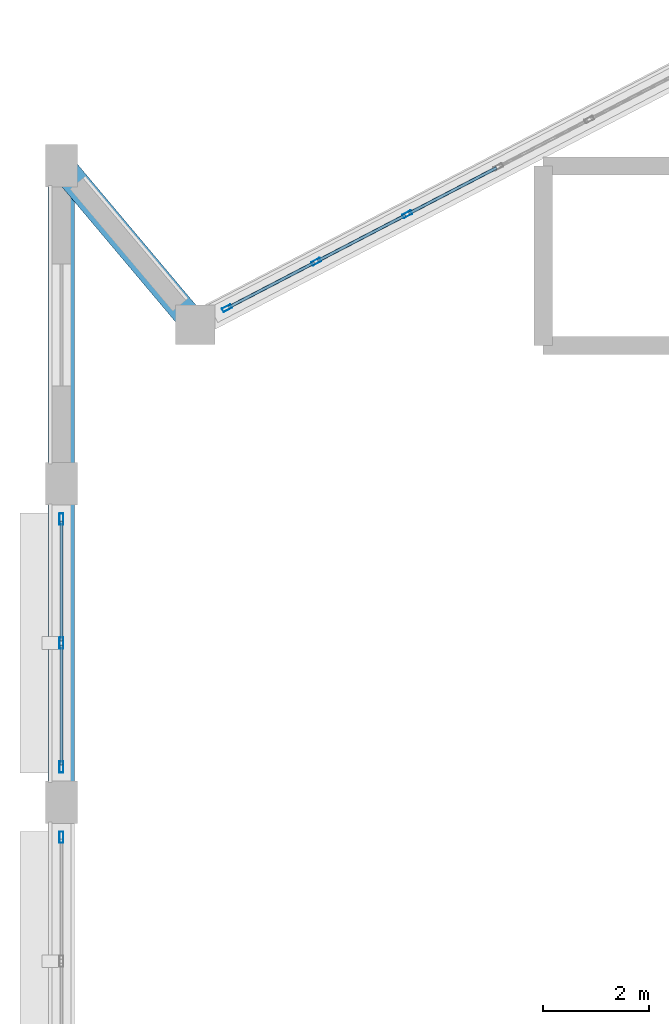
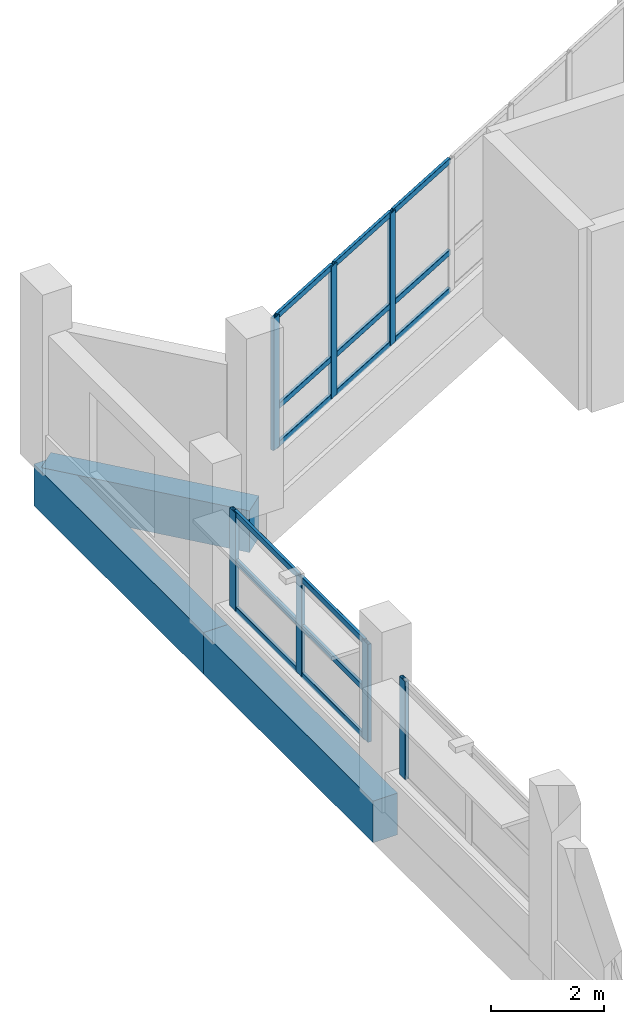
# One storey, part 14 of 121: 22 members, 3 beams, 3 elements without a shape of their own.
"""IFC4 building model written with IfcOpenShell, lengths in metres."""

from ifc_helpers import new_model, si_unit, direction, frame, origin, origin_2d, place, context, subcontext, project, spatial, rectangle, hollow_rectangle, extrude, material, layer, layer_set, material_profile, profile_set, type_object, element, aggregate, save


model = new_model("IFC4")

# Units and contexts
model_context = context("Model", 3, precision=1e-05, world=origin(), true_north=direction((0.0, 1.0)))
body_context = subcontext(model_context, "Body", "Model", "MODEL_VIEW")
ifc_project = project(units=[si_unit("LENGTHUNIT", "METRE"), si_unit("AREAUNIT", "SQUARE_METRE"), si_unit("VOLUMEUNIT", "CUBIC_METRE"), si_unit("PLANEANGLEUNIT", "RADIAN"), si_unit("MASSUNIT", "GRAM", prefix="KILO")], contexts=[model_context])

# Site, building, storey
site_placement = place(None, origin())
site = spatial("IfcSite", under=ifc_project, at=site_placement, CompositionType="ELEMENT")
building_placement = place(site_placement, origin())
building = spatial("IfcBuilding", under=site, at=building_placement, Name="Vespera Passage Community Centre", CompositionType="ELEMENT")
storey_placement = place(building_placement, frame((0.0, 0.0, 8.699951171875)))
storey = spatial("IfcBuildingStorey", under=building, at=storey_placement, Name="L02", CompositionType="ELEMENT", Elevation=8.699951171875)

# Beams
ifc_material_1 = material(Name="Concrete f'c 45 MPa", Category="concrete")
ifc_material_profile_1 = material_profile(ifc_material_1, rectangle(XDim=0.5, YDim=0.89990234375, at=origin_2d()), Name="RC500X900")
ifc_profile_set_1 = profile_set([ifc_material_profile_1], Name="Concrete f'c 45 MPa")
beam_type = type_object("IfcBeamType", Name="BM-SP-500X900E", PredefinedType="SPANDREL", material=ifc_profile_set_1)
for number, where, z_axis, x_axis, name in (
    (1, (4.050048828125, 37.0, -0.449951171875), (0.0, 1.0, 0.0), (-1.0, 0.0, 0.0), "V1 L02 Spandrel W6"),
    (2, (4.050048828125, 43.0, -0.449951171875), (0.0, 1.0, 0.0), (-1.0, 0.0, 0.0), "V1 L02 Spandrel W7"),
):
    element("IfcBeam", number, at=place(storey_placement, frame(where, z_axis=z_axis, x_axis=x_axis)), inside=storey, type_object=beam_type, Name=name, PredefinedType="SPANDREL", context=body_context, shape_type="SweptSolid", body=[
        extrude(rectangle(XDim=0.5, YDim=0.89990234375, at=origin_2d()), origin(), (0.0, 0.0, 1.0), 6.0),
    ])
beam_placement = place(storey_placement, frame((6.57275390625, 46.00146484375, -0.449951171875), z_axis=(-0.643780739075, 0.765210010386, 0.0), x_axis=(-0.765210010386, -0.643780739075, 0.0)))
element("IfcBeam", 3, at=beam_placement, inside=storey, type_object=beam_type, Name="V1 L02 N Apse Spandrel 4", PredefinedType="SPANDREL", context=body_context, shape_type="SweptSolid", body=[
    extrude(rectangle(XDim=0.5, YDim=0.89990234375, at=origin_2d()), origin(), (0.0, 0.0, 1.0), 3.91845703125),
])

# Curtain wall, members
ifc_material_2 = material(Name="Anodized aluminium 6063-T6", Category="aluminium")
ifc_layer_1 = layer(ifc_material_2, 0.159912109375)
ifc_layer_set_1 = layer_set([ifc_layer_1], Name="Anodized aluminium 6063-T6")
curtain_wall_type_1 = type_object("IfcCurtainWallType", Name="CW-87E", PredefinedType="NOTDEFINED", material=ifc_layer_set_1)
curtain_wall_1_placement = place(storey_placement, origin())
curtain_wall_1 = element("IfcCurtainWall", 4, at=curtain_wall_1_placement, inside=storey, type_object=curtain_wall_type_1, Name="V1 L02 N Apse Ribbon Curtain Wall 2", PredefinedType="NOTDEFINED")
ifc_material_3 = material(Name="Anodized aluminium 6063-T6", Category="aluminium")
ifc_material_profile_2 = material_profile(ifc_material_3, hollow_rectangle(XDim=0.074951171875, YDim=0.179931640625, WallThickness=0.0048828125, InnerFilletRadius=0.00244140625, OuterFilletRadius=0.0048828125, at=origin_2d()), Name="ALU180X75X5")
ifc_profile_set_2 = profile_set([ifc_material_profile_2], Name="Anodized aluminium 6063-T6")
member_type_1 = type_object("IfcMemberType", Name="MB-CWM-180E", PredefinedType="MULLION", material=ifc_profile_set_2)
member_1_placement = place(storey_placement, frame((7.171875, 46.313232421875, 0.800048828125), z_axis=(0.0, 0.0, 1.0), x_axis=(-0.46174493668, 0.887012747062, 0.0)))
member_1 = element("IfcMember", 5, at=member_1_placement, type_object=member_type_1, Name="CW-87E mullion 1", PredefinedType="MULLION", context=body_context, shape_type="SweptSolid", body=[
    extrude(hollow_rectangle(XDim=0.074951171875, YDim=0.179931640625, WallThickness=0.0048828125, InnerFilletRadius=0.00244140625, OuterFilletRadius=0.0048828125, at=origin_2d()), origin(), (0.0, 0.0, 1.0), 2.85009765625),
])
member_2_placement = place(storey_placement, frame((8.8544921875, 47.189208984375, 0.800048828125), z_axis=(0.0, 0.0, 1.0), x_axis=(-0.46174493668, 0.887012747062, 0.0)))
member_2 = element("IfcMember", 6, at=member_2_placement, type_object=member_type_1, Name="CW-87E mullion 2", PredefinedType="MULLION", context=body_context, shape_type="SweptSolid", body=[
    extrude(hollow_rectangle(XDim=0.074951171875, YDim=0.179931640625, WallThickness=0.0048828125, InnerFilletRadius=0.00244140625, OuterFilletRadius=0.0048828125, at=origin_2d()), origin(), (0.0, 0.0, 1.0), 2.85009765625),
])
member_3_placement = place(storey_placement, frame((10.5703125, 48.08251953125, 0.800048828125), z_axis=(0.0, 0.0, 1.0), x_axis=(-0.46174493668, 0.887012747062, 0.0)))
member_3 = element("IfcMember", 7, at=member_3_placement, type_object=member_type_1, Name="CW-87E mullion 3", PredefinedType="MULLION", context=body_context, shape_type="SweptSolid", body=[
    extrude(hollow_rectangle(XDim=0.074951171875, YDim=0.179931640625, WallThickness=0.0048828125, InnerFilletRadius=0.00244140625, OuterFilletRadius=0.0048828125, at=origin_2d()), origin(), (0.0, 0.0, 1.0), 2.85009765625),
])

# Curtain wall, member
ifc_material_4 = material(Name="Anodized aluminium 6063-T6", Category="aluminium")
ifc_layer_2 = layer(ifc_material_4, 0.159912109375)
ifc_layer_set_2 = layer_set([ifc_layer_2], Name="Anodized aluminium 6063-T6")
curtain_wall_type_2 = type_object("IfcCurtainWallType", Name="CW-86E", PredefinedType="NOTDEFINED", material=ifc_layer_set_2)
curtain_wall_2_placement = place(storey_placement, origin())
curtain_wall_2 = element("IfcCurtainWall", 8, at=curtain_wall_2_placement, inside=storey, type_object=curtain_wall_type_2, Name="Main Hall Acoustic Curtain Wall L02 W5", PredefinedType="NOTDEFINED")
ifc_material_5 = material(Name="Anodized aluminium 6063-T6", Category="aluminium")
ifc_material_profile_3 = material_profile(ifc_material_5, hollow_rectangle(XDim=0.074951171875, YDim=0.2099609375, WallThickness=0.0048828125, InnerFilletRadius=0.00244140625, OuterFilletRadius=0.0048828125, at=origin_2d()), Name="ALU210X75X5")
ifc_profile_set_3 = profile_set([ifc_material_profile_3], Name="Anodized aluminium 6063-T6")
member_type_2 = type_object("IfcMemberType", Name="MB-CWM-210E", PredefinedType="MULLION", material=ifc_profile_set_3)
member_4_placement = place(storey_placement, frame((4.050048828125, 36.33740234375, 0.85009765625), z_axis=(0.0, 0.0, 1.0), x_axis=(-1.0, 0.0, 0.0)))
member_4 = element("IfcMember", 9, at=member_4_placement, type_object=member_type_2, Name="CW-86E mullion 3", PredefinedType="MULLION", context=body_context, shape_type="SweptSolid", body=[
    extrude(hollow_rectangle(XDim=0.074951171875, YDim=0.2099609375, WallThickness=0.0048828125, InnerFilletRadius=0.00244140625, OuterFilletRadius=0.0048828125, at=origin_2d()), origin(), (0.0, 0.0, 1.0), 2.114990234375),
])
aggregate(curtain_wall_2, [member_4])

# Curtain wall, members
curtain_wall_3_placement = place(storey_placement, origin())
curtain_wall_3 = element("IfcCurtainWall", 10, at=curtain_wall_3_placement, inside=storey, type_object=curtain_wall_type_2, Name="Main Hall Acoustic Curtain Wall L02 W6", PredefinedType="NOTDEFINED")
member_5_placement = place(storey_placement, frame((4.050048828125, 37.66259765625, 0.85009765625), z_axis=(0.0, 0.0, 1.0), x_axis=(-1.0, 0.0, 0.0)))
member_5 = element("IfcMember", 11, at=member_5_placement, type_object=member_type_2, Name="CW-86E mullion 1", PredefinedType="MULLION", context=body_context, shape_type="SweptSolid", body=[
    extrude(hollow_rectangle(XDim=0.074951171875, YDim=0.2099609375, WallThickness=0.0048828125, InnerFilletRadius=0.00244140625, OuterFilletRadius=0.0048828125, at=origin_2d()), origin(), (0.0, 0.0, 1.0), 2.114990234375),
])
member_6_placement = place(storey_placement, frame((4.050048828125, 40.0, 0.85009765625), z_axis=(0.0, 0.0, 1.0), x_axis=(-1.0, 0.0, 0.0)))
member_6 = element("IfcMember", 12, at=member_6_placement, type_object=member_type_2, Name="CW-86E mullion 2", PredefinedType="MULLION", context=body_context, shape_type="SweptSolid", body=[
    extrude(hollow_rectangle(XDim=0.074951171875, YDim=0.2099609375, WallThickness=0.0048828125, InnerFilletRadius=0.00244140625, OuterFilletRadius=0.0048828125, at=origin_2d()), origin(), (0.0, 0.0, 1.0), 2.114990234375),
])
member_7_placement = place(storey_placement, frame((4.050048828125, 42.33740234375, 0.85009765625), z_axis=(0.0, 0.0, 1.0), x_axis=(-1.0, 0.0, 0.0)))
member_7 = element("IfcMember", 13, at=member_7_placement, type_object=member_type_2, Name="CW-86E mullion 3", PredefinedType="MULLION", context=body_context, shape_type="SweptSolid", body=[
    extrude(hollow_rectangle(XDim=0.074951171875, YDim=0.2099609375, WallThickness=0.0048828125, InnerFilletRadius=0.00244140625, OuterFilletRadius=0.0048828125, at=origin_2d()), origin(), (0.0, 0.0, 1.0), 2.114990234375),
])
ifc_material_6 = material(Name="Anodized aluminium 6063-T6", Category="aluminium")
ifc_material_profile_4 = material_profile(ifc_material_6, hollow_rectangle(XDim=0.06005859375, YDim=0.1201171875, WallThickness=0.00390625, InnerFilletRadius=0.001953125, OuterFilletRadius=0.00390625, at=origin_2d()), Name="ALU120X60X4")
ifc_profile_set_4 = profile_set([ifc_material_profile_4], Name="Anodized aluminium 6063-T6")
member_type_3 = type_object("IfcMemberType", Name="MB-CWT-120E", PredefinedType="USERDEFINED", material=ifc_profile_set_4)
member_8_placement = place(storey_placement, frame((4.050048828125, 37.699951171875, 0.880126953125), z_axis=(0.0, 1.0, 0.0), x_axis=(-1.0, 0.0, 0.0)))
member_8 = element("IfcMember", 14, at=member_8_placement, type_object=member_type_3, Name="CW-86E transom 1.1", ObjectType="TRANSOM", PredefinedType="USERDEFINED", context=body_context, shape_type="SweptSolid", body=[
    extrude(hollow_rectangle(XDim=0.06005859375, YDim=0.1201171875, WallThickness=0.00390625, InnerFilletRadius=0.001953125, OuterFilletRadius=0.00390625, at=origin_2d()), origin(), (0.0, 0.0, 1.0), 2.262451171875),
])
member_9_placement = place(storey_placement, frame((4.050048828125, 37.699951171875, 1.907470703125), z_axis=(0.0, 1.0, 0.0), x_axis=(-1.0, 0.0, 0.0)))
member_9 = element("IfcMember", 15, at=member_9_placement, type_object=member_type_3, Name="CW-86E transom 1.2", ObjectType="TRANSOM", PredefinedType="USERDEFINED", context=body_context, shape_type="SweptSolid", body=[
    extrude(hollow_rectangle(XDim=0.06005859375, YDim=0.1201171875, WallThickness=0.00390625, InnerFilletRadius=0.001953125, OuterFilletRadius=0.00390625, at=origin_2d()), origin(), (0.0, 0.0, 1.0), 2.262451171875),
])
member_10_placement = place(storey_placement, frame((4.050048828125, 37.699951171875, 2.93505859375), z_axis=(0.0, 1.0, 0.0), x_axis=(-1.0, 0.0, 0.0)))
member_10 = element("IfcMember", 16, at=member_10_placement, type_object=member_type_3, Name="CW-86E transom 1.3", ObjectType="TRANSOM", PredefinedType="USERDEFINED", context=body_context, shape_type="SweptSolid", body=[
    extrude(hollow_rectangle(XDim=0.06005859375, YDim=0.1201171875, WallThickness=0.00390625, InnerFilletRadius=0.001953125, OuterFilletRadius=0.00390625, at=origin_2d()), origin(), (0.0, 0.0, 1.0), 2.262451171875),
])
member_11_placement = place(storey_placement, frame((4.050048828125, 40.03759765625, 0.880126953125), z_axis=(0.0, 1.0, 0.0), x_axis=(-1.0, 0.0, 0.0)))
member_11 = element("IfcMember", 17, at=member_11_placement, type_object=member_type_3, Name="CW-86E transom 2.1", ObjectType="TRANSOM", PredefinedType="USERDEFINED", context=body_context, shape_type="SweptSolid", body=[
    extrude(hollow_rectangle(XDim=0.06005859375, YDim=0.1201171875, WallThickness=0.00390625, InnerFilletRadius=0.001953125, OuterFilletRadius=0.00390625, at=origin_2d()), origin(), (0.0, 0.0, 1.0), 2.262451171875),
])
member_12_placement = place(storey_placement, frame((4.050048828125, 40.03759765625, 1.907470703125), z_axis=(0.0, 1.0, 0.0), x_axis=(-1.0, 0.0, 0.0)))
member_12 = element("IfcMember", 18, at=member_12_placement, type_object=member_type_3, Name="CW-86E transom 2.2", ObjectType="TRANSOM", PredefinedType="USERDEFINED", context=body_context, shape_type="SweptSolid", body=[
    extrude(hollow_rectangle(XDim=0.06005859375, YDim=0.1201171875, WallThickness=0.00390625, InnerFilletRadius=0.001953125, OuterFilletRadius=0.00390625, at=origin_2d()), origin(), (0.0, 0.0, 1.0), 2.262451171875),
])
member_13_placement = place(storey_placement, frame((4.050048828125, 40.03759765625, 2.93505859375), z_axis=(0.0, 1.0, 0.0), x_axis=(-1.0, 0.0, 0.0)))
member_13 = element("IfcMember", 19, at=member_13_placement, type_object=member_type_3, Name="CW-86E transom 2.3", ObjectType="TRANSOM", PredefinedType="USERDEFINED", context=body_context, shape_type="SweptSolid", body=[
    extrude(hollow_rectangle(XDim=0.06005859375, YDim=0.1201171875, WallThickness=0.00390625, InnerFilletRadius=0.001953125, OuterFilletRadius=0.00390625, at=origin_2d()), origin(), (0.0, 0.0, 1.0), 2.262451171875),
])
aggregate(curtain_wall_3, [member_5, member_6, member_7, member_8, member_9, member_10, member_11, member_12, member_13])

# Member
member_14_placement = place(storey_placement, frame((7.205078125, 46.33056640625, 0.830078125), z_axis=(0.887019277583, 0.461732391322, 0.0), x_axis=(-0.461732391322, 0.887019277583, 0.0)))
member_14 = element("IfcMember", 20, at=member_14_placement, type_object=member_type_3, Name="CW-87E transom 1.1", ObjectType="TRANSOM", PredefinedType="USERDEFINED", context=body_context, shape_type="SweptSolid", body=[
    extrude(hollow_rectangle(XDim=0.06005859375, YDim=0.1201171875, WallThickness=0.00390625, InnerFilletRadius=0.001953125, OuterFilletRadius=0.00390625, at=origin_2d()), origin(), (0.0, 0.0, 1.0), 1.822021484375),
])

member_15_placement = place(storey_placement, frame((7.205078125, 46.33056640625, 1.650146484375), z_axis=(0.887019277583, 0.461732391322, 0.0), x_axis=(-0.461732391322, 0.887019277583, 0.0)))
member_15 = element("IfcMember", 21, at=member_15_placement, type_object=member_type_3, Name="CW-87E transom 1.2", ObjectType="TRANSOM", PredefinedType="USERDEFINED", context=body_context, shape_type="SweptSolid", body=[
    extrude(hollow_rectangle(XDim=0.06005859375, YDim=0.1201171875, WallThickness=0.00390625, InnerFilletRadius=0.001953125, OuterFilletRadius=0.00390625, at=origin_2d()), origin(), (0.0, 0.0, 1.0), 1.822021484375),
])

member_16_placement = place(storey_placement, frame((7.205078125, 46.33056640625, 3.6201171875), z_axis=(0.887019277583, 0.461732391322, 0.0), x_axis=(-0.461732391322, 0.887019277583, 0.0)))
member_16 = element("IfcMember", 22, at=member_16_placement, type_object=member_type_3, Name="CW-87E transom 1.3", ObjectType="TRANSOM", PredefinedType="USERDEFINED", context=body_context, shape_type="SweptSolid", body=[
    extrude(hollow_rectangle(XDim=0.06005859375, YDim=0.1201171875, WallThickness=0.00390625, InnerFilletRadius=0.001953125, OuterFilletRadius=0.00390625, at=origin_2d()), origin(), (0.0, 0.0, 1.0), 1.822021484375),
])

member_17_placement = place(storey_placement, frame((8.8876953125, 47.20654296875, 0.830078125), z_axis=(0.887008197889, 0.461753675544, 0.0), x_axis=(-0.461753675544, 0.887008197889, 0.0)))
member_17 = element("IfcMember", 23, at=member_17_placement, type_object=member_type_3, Name="CW-87E transom 2.1", ObjectType="TRANSOM", PredefinedType="USERDEFINED", context=body_context, shape_type="SweptSolid", body=[
    extrude(hollow_rectangle(XDim=0.06005859375, YDim=0.1201171875, WallThickness=0.00390625, InnerFilletRadius=0.001953125, OuterFilletRadius=0.00390625, at=origin_2d()), origin(), (0.0, 0.0, 1.0), 1.859619140625),
])

member_18_placement = place(storey_placement, frame((8.8876953125, 47.20654296875, 1.650146484375), z_axis=(0.887008197889, 0.461753675544, 0.0), x_axis=(-0.461753675544, 0.887008197889, 0.0)))
member_18 = element("IfcMember", 24, at=member_18_placement, type_object=member_type_3, Name="CW-87E transom 2.2", ObjectType="TRANSOM", PredefinedType="USERDEFINED", context=body_context, shape_type="SweptSolid", body=[
    extrude(hollow_rectangle(XDim=0.06005859375, YDim=0.1201171875, WallThickness=0.00390625, InnerFilletRadius=0.001953125, OuterFilletRadius=0.00390625, at=origin_2d()), origin(), (0.0, 0.0, 1.0), 1.859619140625),
])

member_19_placement = place(storey_placement, frame((8.8876953125, 47.20654296875, 3.6201171875), z_axis=(0.887008197889, 0.461753675544, 0.0), x_axis=(-0.461753675544, 0.887008197889, 0.0)))
member_19 = element("IfcMember", 25, at=member_19_placement, type_object=member_type_3, Name="CW-87E transom 2.3", ObjectType="TRANSOM", PredefinedType="USERDEFINED", context=body_context, shape_type="SweptSolid", body=[
    extrude(hollow_rectangle(XDim=0.06005859375, YDim=0.1201171875, WallThickness=0.00390625, InnerFilletRadius=0.001953125, OuterFilletRadius=0.00390625, at=origin_2d()), origin(), (0.0, 0.0, 1.0), 1.859619140625),
])

member_20_placement = place(storey_placement, frame((10.603759765625, 48.099853515625, 0.830078125), z_axis=(0.887008197889, 0.461753675544, 0.0), x_axis=(-0.461753675544, 0.887008197889, 0.0)))
member_20 = element("IfcMember", 26, at=member_20_placement, type_object=member_type_3, Name="CW-87E transom 3.1", ObjectType="TRANSOM", PredefinedType="USERDEFINED", context=body_context, shape_type="SweptSolid", body=[
    extrude(hollow_rectangle(XDim=0.06005859375, YDim=0.1201171875, WallThickness=0.00390625, InnerFilletRadius=0.001953125, OuterFilletRadius=0.00390625, at=origin_2d()), origin(), (0.0, 0.0, 1.0), 1.859619140625),
])

member_21_placement = place(storey_placement, frame((10.603759765625, 48.099853515625, 1.650146484375), z_axis=(0.887008197889, 0.461753675544, 0.0), x_axis=(-0.461753675544, 0.887008197889, 0.0)))
member_21 = element("IfcMember", 27, at=member_21_placement, type_object=member_type_3, Name="CW-87E transom 3.2", ObjectType="TRANSOM", PredefinedType="USERDEFINED", context=body_context, shape_type="SweptSolid", body=[
    extrude(hollow_rectangle(XDim=0.06005859375, YDim=0.1201171875, WallThickness=0.00390625, InnerFilletRadius=0.001953125, OuterFilletRadius=0.00390625, at=origin_2d()), origin(), (0.0, 0.0, 1.0), 1.859619140625),
])

member_22_placement = place(storey_placement, frame((10.603759765625, 48.099853515625, 3.6201171875), z_axis=(0.887008197889, 0.461753675544, 0.0), x_axis=(-0.461753675544, 0.887008197889, 0.0)))
member_22 = element("IfcMember", 28, at=member_22_placement, type_object=member_type_3, Name="CW-87E transom 3.3", ObjectType="TRANSOM", PredefinedType="USERDEFINED", context=body_context, shape_type="SweptSolid", body=[
    extrude(hollow_rectangle(XDim=0.06005859375, YDim=0.1201171875, WallThickness=0.00390625, InnerFilletRadius=0.001953125, OuterFilletRadius=0.00390625, at=origin_2d()), origin(), (0.0, 0.0, 1.0), 1.859619140625),
])

aggregate(curtain_wall_1, [member_1, member_2, member_3, member_14, member_15, member_16, member_17, member_18, member_19, member_20, member_21, member_22])

save(model, "model.ifc")
